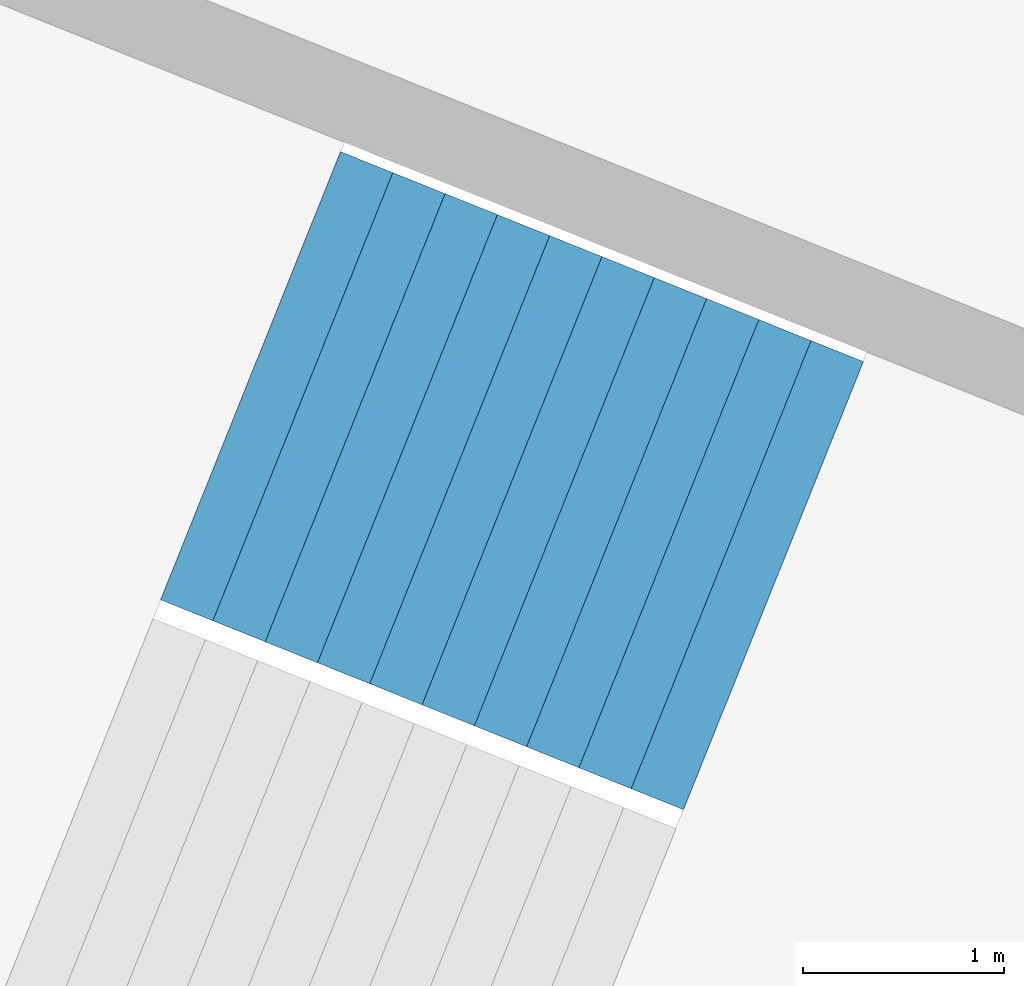
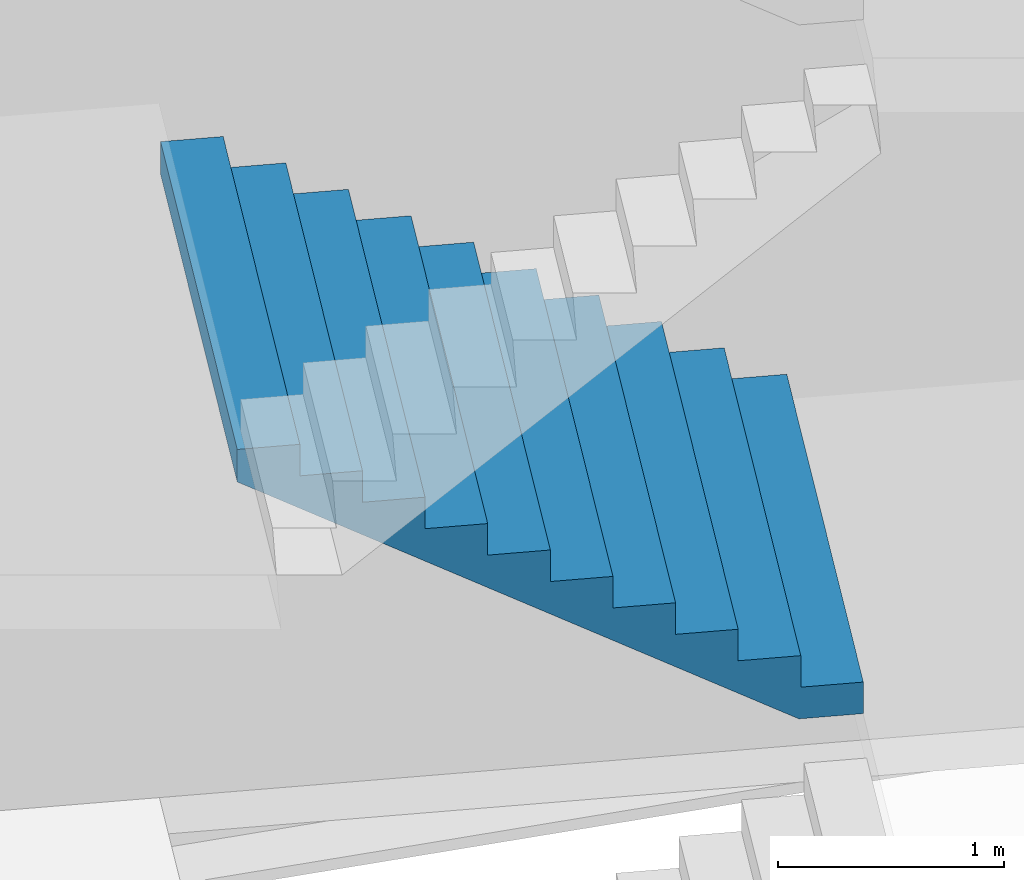
# One storey, part 51 of 73: 1 stair flight, 1 element without a shape of its own.
"""IFC4 building model written with IfcOpenShell, lengths in metres."""

from ifc_helpers import new_model, si_unit, direction, frame, origin, place, context, subcontext, project, spatial, triangles, material, type_object, element, aggregate, save


model = new_model("IFC4")

# Units and contexts
model_context = context("Model", 3, precision=1e-05, world=origin(), true_north=direction((0.0, 1.0)))
body_context = subcontext(model_context, "Body", "Model", "MODEL_VIEW")
ifc_project = project(units=[si_unit("LENGTHUNIT", "METRE"), si_unit("AREAUNIT", "SQUARE_METRE"), si_unit("VOLUMEUNIT", "CUBIC_METRE"), si_unit("PLANEANGLEUNIT", "RADIAN"), si_unit("MASSUNIT", "GRAM", prefix="KILO")], contexts=[model_context])

# Site, building, storey
site_placement = place(None, origin())
site = spatial("IfcSite", under=ifc_project, at=site_placement, CompositionType="ELEMENT")
building_placement = place(site_placement, origin())
building = spatial("IfcBuilding", under=site, at=building_placement, Name="Lantaw Convention Tower", CompositionType="ELEMENT")
storey_placement = place(building_placement, frame((0.0, 0.0, 14.5)))
storey = spatial("IfcBuildingStorey", under=building, at=storey_placement, Name="L02", CompositionType="ELEMENT", Elevation=14.5)

# Stair, stair flight
ifc_material = material(Name="Concrete C35/45", Category="concrete")
stair_type = type_object("IfcStairType", Name="Exit stair 2400 riser 170.45 in 4 flights", PredefinedType="HALF_TURN_STAIR", material=ifc_material)
stair_placement = place(storey_placement, origin())
stair = element("IfcStair", 1, at=stair_placement, inside=storey, type_object=stair_type, Name="Podium exit stair P12 L02", PredefinedType="HALF_TURN_STAIR")
stair_flight_type = type_object("IfcStairFlightType", Name="Stair flight 2400 riser 170.45", PredefinedType="STRAIGHT", material=ifc_material)
stair_flight_placement = place(storey_placement, frame((32.6162109375, -11.746337890625, 1.875), z_axis=(0.0, 0.0, 1.0), x_axis=(-0.928015818512, 0.372540790506, 0.0)))
stair_flight = element("IfcStairFlight", 2, at=stair_flight_placement, type_object=stair_flight_type, Name="P12 flight 2", NumberOfRisers=11, NumberOfTreads=10, PredefinedType="STRAIGHT", RiserHeight=0.170454545, TreadLength=0.28, context=body_context, shape_type="Tessellation", body=[
    triangles([(0.0, 1.199951171875, 0.0), (0.0, 1.199951171875, 0.170454545), (0.28, 1.199951171875, 0.0), (0.28, 1.199951171875, 0.170454545), (0.28, 1.199951171875, 0.34090909), (0.28827876332691904, 1.199951171875, 0.0), (0.28827876332691904, 1.199951171875, 0.34090909), (0.56, 1.199951171875, 0.16541471344266906), (0.56, 1.199951171875, 0.34090909), (0.56, 1.199951171875, 0.511363635), (0.8400000000000001, 1.199951171875, 0.335869258442669), (0.8400000000000001, 1.199951171875, 0.511363635), (0.8400000000000001, 1.199951171875, 0.68181818), (1.12, 1.199951171875, 0.506323803442669), (1.12, 1.199951171875, 0.68181818), (1.12, 1.199951171875, 0.8522727250000001), (1.4000000000000001, 1.199951171875, 0.676778348442669), (1.4000000000000001, 1.199951171875, 0.8522727250000001), (1.4000000000000001, 1.199951171875, 1.02272727), (1.6800000000000002, 1.199951171875, 0.847232893442669), (1.6800000000000002, 1.199951171875, 1.02272727), (1.6800000000000002, 1.199951171875, 1.193181815), (1.9600000000000002, 1.199951171875, 1.017687438442669), (1.9600000000000002, 1.199951171875, 1.193181815), (1.9600000000000002, 1.199951171875, 1.36363636), (2.24, 1.199951171875, 1.188141983442669), (2.24, 1.199951171875, 1.36363636), (2.24, 1.199951171875, 1.5340909050000002), (2.5200000000000005, 1.199951171875, 1.358596528442669), (2.5200000000000005, 1.199951171875, 1.5340909050000002), (2.5200000000000005, 1.199951171875, 1.7045454500000001), (2.8000000000000003, 1.199951171875, 1.529051073442669), (2.8000000000000003, 1.199951171875, 1.7045454500000001), (0.0, -1.199951171875, 0.0), (0.0, -1.199951171875, 0.170454545), (0.28, -1.199951171875, 0.0), (0.28, -1.199951171875, 0.170454545), (0.28, -1.199951171875, 0.34090909), (0.28827876332691904, -1.199951171875, 0.0), (0.28827876332691904, -1.199951171875, 0.34090909), (0.56, -1.199951171875, 0.16541471344266906), (0.56, -1.199951171875, 0.34090909), (0.56, -1.199951171875, 0.511363635), (0.8400000000000001, -1.199951171875, 0.335869258442669), (0.8400000000000001, -1.199951171875, 0.511363635), (0.8400000000000001, -1.199951171875, 0.68181818), (1.12, -1.199951171875, 0.506323803442669), (1.12, -1.199951171875, 0.68181818), (1.12, -1.199951171875, 0.8522727250000001), (1.4000000000000001, -1.199951171875, 0.676778348442669), (1.4000000000000001, -1.199951171875, 0.8522727250000001), (1.4000000000000001, -1.199951171875, 1.02272727), (1.6800000000000002, -1.199951171875, 0.847232893442669), (1.6800000000000002, -1.199951171875, 1.02272727), (1.6800000000000002, -1.199951171875, 1.193181815), (1.9600000000000002, -1.199951171875, 1.017687438442669), (1.9600000000000002, -1.199951171875, 1.193181815), (1.9600000000000002, -1.199951171875, 1.36363636), (2.24, -1.199951171875, 1.188141983442669), (2.24, -1.199951171875, 1.36363636), (2.24, -1.199951171875, 1.5340909050000002), (2.5200000000000005, -1.199951171875, 1.358596528442669), (2.5200000000000005, -1.199951171875, 1.5340909050000002), (2.5200000000000005, -1.199951171875, 1.7045454500000001), (2.8000000000000003, -1.199951171875, 1.529051073442669), (2.8000000000000003, -1.199951171875, 1.7045454500000001), (0.0, 0.239990234375, 0.170454545), (0.0, 0.239990234375, 0.0), (0.0, 0.1199951171875, 0.170454545), (0.0, 0.1199951171875, 0.0), (0.0, 0.0, 0.170454545), (0.0, 0.0, 0.0), (0.0, -0.1199951171875, 0.170454545), (0.0, -0.1199951171875, 0.0), (0.0, -0.239990234375, 0.170454545), (0.0, -0.239990234375, 0.0), (0.28, 0.239990234375, 0.34090909), (0.28, 0.239990234375, 0.170454545), (0.28, 0.1199951171875, 0.34090909), (0.28, 0.1199951171875, 0.170454545), (0.28, 0.0, 0.34090909), (0.28, 0.0, 0.170454545), (0.28, -0.1199951171875, 0.34090909), (0.28, -0.1199951171875, 0.170454545), (0.28, -0.239990234375, 0.34090909), (0.28, -0.239990234375, 0.170454545), (0.56, 0.239990234375, 0.511363635), (0.56, 0.239990234375, 0.34090909), (0.56, 0.1199951171875, 0.511363635), (0.56, 0.1199951171875, 0.34090909), (0.56, 0.0, 0.511363635), (0.56, 0.0, 0.34090909), (0.56, -0.1199951171875, 0.511363635), (0.56, -0.1199951171875, 0.34090909), (0.56, -0.239990234375, 0.511363635), (0.56, -0.239990234375, 0.34090909), (0.8400000000000001, 0.239990234375, 0.68181818), (0.8400000000000001, 0.239990234375, 0.511363635), (0.8400000000000001, 0.1199951171875, 0.68181818), (0.8400000000000001, 0.1199951171875, 0.511363635), (0.8400000000000001, 0.0, 0.68181818), (0.8400000000000001, 0.0, 0.511363635), (0.8400000000000001, -0.1199951171875, 0.68181818), (0.8400000000000001, -0.1199951171875, 0.511363635), (0.8400000000000001, -0.239990234375, 0.68181818), (0.8400000000000001, -0.239990234375, 0.511363635), (1.12, 0.239990234375, 0.8522727250000001), (1.12, 0.239990234375, 0.68181818), (1.12, 0.1199951171875, 0.8522727250000001), (1.12, 0.1199951171875, 0.68181818), (1.12, 0.0, 0.8522727250000001), (1.12, 0.0, 0.68181818), (1.12, -0.1199951171875, 0.8522727250000001), (1.12, -0.1199951171875, 0.68181818), (1.12, -0.239990234375, 0.8522727250000001), (1.12, -0.239990234375, 0.68181818), (1.4000000000000001, 0.239990234375, 1.02272727), (1.4000000000000001, 0.239990234375, 0.8522727250000001), (1.4000000000000001, 0.1199951171875, 1.02272727), (1.4000000000000001, 0.1199951171875, 0.8522727250000001), (1.4000000000000001, 0.0, 1.02272727), (1.4000000000000001, 0.0, 0.8522727250000001), (1.4000000000000001, -0.1199951171875, 1.02272727), (1.4000000000000001, -0.1199951171875, 0.8522727250000001), (1.4000000000000001, -0.239990234375, 1.02272727), (1.4000000000000001, -0.239990234375, 0.8522727250000001), (1.6800000000000002, 0.239990234375, 1.193181815), (1.6800000000000002, 0.239990234375, 1.02272727), (1.6800000000000002, 0.1199951171875, 1.193181815), (1.6800000000000002, 0.1199951171875, 1.02272727), (1.6800000000000002, 0.0, 1.193181815), (1.6800000000000002, 0.0, 1.02272727), (1.6800000000000002, -0.1199951171875, 1.193181815), (1.6800000000000002, -0.1199951171875, 1.02272727), (1.6800000000000002, -0.239990234375, 1.193181815), (1.6800000000000002, -0.239990234375, 1.02272727), (1.9600000000000002, 0.239990234375, 1.36363636), (1.9600000000000002, 0.239990234375, 1.193181815), (1.9600000000000002, 0.1199951171875, 1.36363636), (1.9600000000000002, 0.1199951171875, 1.193181815), (1.9600000000000002, 0.0, 1.36363636), (1.9600000000000002, 0.0, 1.193181815), (1.9600000000000002, -0.1199951171875, 1.36363636), (1.9600000000000002, -0.1199951171875, 1.193181815), (1.9600000000000002, -0.239990234375, 1.36363636), (1.9600000000000002, -0.239990234375, 1.193181815), (2.24, 0.239990234375, 1.5340909050000002), (2.24, 0.239990234375, 1.36363636), (2.24, 0.1199951171875, 1.5340909050000002), (2.24, 0.1199951171875, 1.36363636), (2.24, 0.0, 1.5340909050000002), (2.24, 0.0, 1.36363636), (2.24, -0.1199951171875, 1.5340909050000002), (2.24, -0.1199951171875, 1.36363636), (2.24, -0.239990234375, 1.5340909050000002), (2.24, -0.239990234375, 1.36363636), (2.5200000000000005, 0.239990234375, 1.7045454500000001), (2.5200000000000005, 0.239990234375, 1.5340909050000002), (2.5200000000000005, 0.1199951171875, 1.7045454500000001), (2.5200000000000005, 0.1199951171875, 1.5340909050000002), (2.5200000000000005, 0.0, 1.7045454500000001), (2.5200000000000005, 0.0, 1.5340909050000002), (2.5200000000000005, -0.1199951171875, 1.7045454500000001), (2.5200000000000005, -0.1199951171875, 1.5340909050000002), (2.5200000000000005, -0.239990234375, 1.7045454500000001), (2.5200000000000005, -0.239990234375, 1.5340909050000002), (0.28827876332691904, 0.239990234375, 0.34090909), (0.28827876332691904, 0.1199951171875, 0.34090909), (0.28827876332691904, 0.0, 0.34090909), (0.28827876332691904, -0.1199951171875, 0.34090909), (0.28827876332691904, -0.239990234375, 0.34090909), (2.8000000000000003, 0.239990234375, 1.7045454500000001), (2.8000000000000003, 0.1199951171875, 1.7045454500000001), (2.8000000000000003, 0.0, 1.7045454500000001), (2.8000000000000003, -0.1199951171875, 1.7045454500000001), (2.8000000000000003, -0.239990234375, 1.7045454500000001), (2.8000000000000003, 0.239990234375, 1.5290510734426692), (2.8000000000000003, 0.1199951171875, 1.5290510734426692), (2.8000000000000003, 0.0, 1.5290510734426692), (2.8000000000000003, -0.1199951171875, 1.5290510734426692), (2.8000000000000003, -0.239990234375, 1.5290510734426692), (2.5200000000000005, 0.239990234375, 1.358596528442669), (2.5200000000000005, 0.1199951171875, 1.358596528442669), (2.5200000000000005, 0.0, 1.358596528442669), (2.5200000000000005, -0.1199951171875, 1.358596528442669), (2.5200000000000005, -0.239990234375, 1.358596528442669), (2.24, 0.239990234375, 1.188141983442669), (2.24, 0.1199951171875, 1.188141983442669), (2.24, 0.0, 1.188141983442669), (2.24, -0.1199951171875, 1.188141983442669), (2.24, -0.239990234375, 1.188141983442669), (1.9600000000000002, 0.239990234375, 1.017687438442669), (1.9600000000000002, 0.1199951171875, 1.017687438442669), (1.9600000000000002, 0.0, 1.017687438442669), (1.9600000000000002, -0.1199951171875, 1.017687438442669), (1.9600000000000002, -0.239990234375, 1.017687438442669), (1.6800000000000002, 0.239990234375, 0.847232893442669), (1.6800000000000002, 0.1199951171875, 0.847232893442669), (1.6800000000000002, 0.0, 0.847232893442669), (1.6800000000000002, -0.1199951171875, 0.847232893442669), (1.6800000000000002, -0.239990234375, 0.847232893442669), (1.4000000000000001, 0.239990234375, 0.676778348442669), (1.4000000000000001, 0.1199951171875, 0.676778348442669), (1.4000000000000001, 0.0, 0.676778348442669), (1.4000000000000001, -0.1199951171875, 0.676778348442669), (1.4000000000000001, -0.239990234375, 0.676778348442669), (1.12, 0.239990234375, 0.506323803442669), (1.12, 0.1199951171875, 0.506323803442669), (1.12, 0.0, 0.506323803442669), (1.12, -0.1199951171875, 0.506323803442669), (1.12, -0.239990234375, 0.506323803442669), (0.8400000000000001, 0.239990234375, 0.335869258442669), (0.8400000000000001, 0.1199951171875, 0.335869258442669), (0.8400000000000001, 0.0, 0.335869258442669), (0.8400000000000001, -0.1199951171875, 0.335869258442669), (0.8400000000000001, -0.239990234375, 0.335869258442669), (0.56, 0.239990234375, 0.16541471344266906), (0.56, 0.1199951171875, 0.16541471344266906), (0.56, 0.0, 0.16541471344266906), (0.56, -0.1199951171875, 0.16541471344266906), (0.56, -0.239990234375, 0.16541471344266906), (0.28827876332691904, 0.239990234375, 0.0), (0.28827876332691904, 0.1199951171875, 0.0), (0.28827876332691904, 0.0, 0.0), (0.28827876332691904, -0.1199951171875, 0.0), (0.28827876332691904, -0.239990234375, 0.0), (0.28, 0.239990234375, 0.0), (0.28, 0.1199951171875, 0.0), (0.28, 0.0, 0.0), (0.28, -0.1199951171875, 0.0), (0.28, -0.239990234375, 0.0)], [[1, 4, 3], [1, 2, 4], [3, 4, 6], [4, 7, 6], [4, 5, 7], [6, 9, 8], [6, 7, 9], [8, 9, 11], [9, 12, 11], [9, 10, 12], [11, 12, 14], [12, 15, 14], [12, 13, 15], [14, 15, 17], [15, 18, 17], [15, 16, 18], [17, 18, 20], [18, 21, 20], [18, 19, 21], [20, 21, 23], [21, 24, 23], [21, 22, 24], [23, 24, 26], [24, 27, 26], [24, 25, 27], [26, 27, 29], [27, 30, 29], [27, 28, 30], [29, 30, 32], [30, 33, 32], [30, 31, 33], [34, 36, 37], [34, 37, 35], [36, 39, 37], [37, 39, 40], [37, 40, 38], [39, 41, 42], [39, 42, 40], [41, 44, 42], [42, 44, 45], [42, 45, 43], [44, 47, 45], [45, 47, 48], [45, 48, 46], [47, 50, 48], [48, 50, 51], [48, 51, 49], [50, 53, 51], [51, 53, 54], [51, 54, 52], [53, 56, 54], [54, 56, 57], [54, 57, 55], [56, 59, 57], [57, 59, 60], [57, 60, 58], [59, 62, 60], [60, 62, 63], [60, 63, 61], [62, 65, 63], [63, 65, 66], [63, 66, 64], [1, 67, 2], [1, 68, 67], [68, 69, 67], [68, 70, 69], [70, 71, 69], [70, 72, 71], [72, 73, 71], [72, 74, 73], [74, 75, 73], [74, 76, 75], [76, 35, 75], [76, 34, 35], [4, 77, 5], [4, 78, 77], [78, 79, 77], [78, 80, 79], [80, 81, 79], [80, 82, 81], [82, 83, 81], [82, 84, 83], [84, 85, 83], [84, 86, 85], [86, 38, 85], [86, 37, 38], [9, 87, 10], [9, 88, 87], [88, 89, 87], [88, 90, 89], [90, 91, 89], [90, 92, 91], [92, 93, 91], [92, 94, 93], [94, 95, 93], [94, 96, 95], [96, 43, 95], [96, 42, 43], [12, 97, 13], [12, 98, 97], [98, 99, 97], [98, 100, 99], [100, 101, 99], [100, 102, 101], [102, 103, 101], [102, 104, 103], [104, 105, 103], [104, 106, 105], [106, 46, 105], [106, 45, 46], [15, 107, 16], [15, 108, 107], [108, 109, 107], [108, 110, 109], [110, 111, 109], [110, 112, 111], [112, 113, 111], [112, 114, 113], [114, 115, 113], [114, 116, 115], [116, 49, 115], [116, 48, 49], [18, 117, 19], [18, 118, 117], [118, 119, 117], [118, 120, 119], [120, 121, 119], [120, 122, 121], [122, 123, 121], [122, 124, 123], [124, 125, 123], [124, 126, 125], [126, 52, 125], [126, 51, 52], [21, 127, 22], [21, 128, 127], [128, 129, 127], [128, 130, 129], [130, 131, 129], [130, 132, 131], [132, 133, 131], [132, 134, 133], [134, 135, 133], [134, 136, 135], [136, 55, 135], [136, 54, 55], [24, 137, 25], [24, 138, 137], [138, 139, 137], [138, 140, 139], [140, 141, 139], [140, 142, 141], [142, 143, 141], [142, 144, 143], [144, 145, 143], [144, 146, 145], [146, 58, 145], [146, 57, 58], [27, 147, 28], [27, 148, 147], [148, 149, 147], [148, 150, 149], [150, 151, 149], [150, 152, 151], [152, 153, 151], [152, 154, 153], [154, 155, 153], [154, 156, 155], [156, 61, 155], [156, 60, 61], [30, 157, 31], [30, 158, 157], [158, 159, 157], [158, 160, 159], [160, 161, 159], [160, 162, 161], [162, 163, 161], [162, 164, 163], [164, 165, 163], [164, 166, 165], [166, 64, 165], [166, 63, 64], [2, 78, 4], [2, 67, 78], [67, 80, 78], [67, 69, 80], [69, 82, 80], [69, 71, 82], [71, 84, 82], [71, 73, 84], [73, 86, 84], [73, 75, 86], [75, 37, 86], [75, 35, 37], [5, 167, 7], [5, 77, 167], [77, 168, 167], [77, 79, 168], [79, 169, 168], [79, 81, 169], [81, 170, 169], [81, 83, 170], [83, 171, 170], [83, 85, 171], [85, 40, 171], [85, 38, 40], [7, 88, 9], [7, 167, 88], [167, 90, 88], [167, 168, 90], [168, 92, 90], [168, 169, 92], [169, 94, 92], [169, 170, 94], [170, 96, 94], [170, 171, 96], [171, 42, 96], [171, 40, 42], [10, 98, 12], [10, 87, 98], [87, 100, 98], [87, 89, 100], [89, 102, 100], [89, 91, 102], [91, 104, 102], [91, 93, 104], [93, 106, 104], [93, 95, 106], [95, 45, 106], [95, 43, 45], [13, 108, 15], [13, 97, 108], [97, 110, 108], [97, 99, 110], [99, 112, 110], [99, 101, 112], [101, 114, 112], [101, 103, 114], [103, 116, 114], [103, 105, 116], [105, 48, 116], [105, 46, 48], [16, 118, 18], [16, 107, 118], [107, 120, 118], [107, 109, 120], [109, 122, 120], [109, 111, 122], [111, 124, 122], [111, 113, 124], [113, 126, 124], [113, 115, 126], [115, 51, 126], [115, 49, 51], [19, 128, 21], [19, 117, 128], [117, 130, 128], [117, 119, 130], [119, 132, 130], [119, 121, 132], [121, 134, 132], [121, 123, 134], [123, 136, 134], [123, 125, 136], [125, 54, 136], [125, 52, 54], [22, 138, 24], [22, 127, 138], [127, 140, 138], [127, 129, 140], [129, 142, 140], [129, 131, 142], [131, 144, 142], [131, 133, 144], [133, 146, 144], [133, 135, 146], [135, 57, 146], [135, 55, 57], [25, 148, 27], [25, 137, 148], [137, 150, 148], [137, 139, 150], [139, 152, 150], [139, 141, 152], [141, 154, 152], [141, 143, 154], [143, 156, 154], [143, 145, 156], [145, 60, 156], [145, 58, 60], [28, 158, 30], [28, 147, 158], [147, 160, 158], [147, 149, 160], [149, 162, 160], [149, 151, 162], [151, 164, 162], [151, 153, 164], [153, 166, 164], [153, 155, 166], [155, 63, 166], [155, 61, 63], [31, 172, 33], [31, 157, 172], [157, 173, 172], [157, 159, 173], [159, 174, 173], [159, 161, 174], [161, 175, 174], [161, 163, 175], [163, 176, 175], [163, 165, 176], [165, 66, 176], [165, 64, 66], [33, 177, 32], [33, 172, 177], [172, 178, 177], [172, 173, 178], [173, 179, 178], [173, 174, 179], [174, 180, 179], [174, 175, 180], [175, 181, 180], [175, 176, 181], [176, 65, 181], [176, 66, 65], [32, 182, 29], [32, 177, 182], [177, 183, 182], [177, 178, 183], [178, 184, 183], [178, 179, 184], [179, 185, 184], [179, 180, 185], [180, 186, 185], [180, 181, 186], [181, 62, 186], [181, 65, 62], [29, 187, 26], [29, 182, 187], [182, 188, 187], [182, 183, 188], [183, 189, 188], [183, 184, 189], [184, 190, 189], [184, 185, 190], [185, 191, 190], [185, 186, 191], [186, 59, 191], [186, 62, 59], [26, 192, 23], [26, 187, 192], [187, 193, 192], [187, 188, 193], [188, 194, 193], [188, 189, 194], [189, 195, 194], [189, 190, 195], [190, 196, 195], [190, 191, 196], [191, 56, 196], [191, 59, 56], [23, 197, 20], [23, 192, 197], [192, 198, 197], [192, 193, 198], [193, 199, 198], [193, 194, 199], [194, 200, 199], [194, 195, 200], [195, 201, 200], [195, 196, 201], [196, 53, 201], [196, 56, 53], [20, 202, 17], [20, 197, 202], [197, 203, 202], [197, 198, 203], [198, 204, 203], [198, 199, 204], [199, 205, 204], [199, 200, 205], [200, 206, 205], [200, 201, 206], [201, 50, 206], [201, 53, 50], [17, 207, 14], [17, 202, 207], [202, 208, 207], [202, 203, 208], [203, 209, 208], [203, 204, 209], [204, 210, 209], [204, 205, 210], [205, 211, 210], [205, 206, 211], [206, 47, 211], [206, 50, 47], [14, 212, 11], [14, 207, 212], [207, 213, 212], [207, 208, 213], [208, 214, 213], [208, 209, 214], [209, 215, 214], [209, 210, 215], [210, 216, 215], [210, 211, 216], [211, 44, 216], [211, 47, 44], [11, 217, 8], [11, 212, 217], [212, 218, 217], [212, 213, 218], [213, 219, 218], [213, 214, 219], [214, 220, 219], [214, 215, 220], [215, 221, 220], [215, 216, 221], [216, 41, 221], [216, 44, 41], [8, 222, 6], [8, 217, 222], [217, 223, 222], [217, 218, 223], [218, 224, 223], [218, 219, 224], [219, 225, 224], [219, 220, 225], [220, 226, 225], [220, 221, 226], [221, 39, 226], [221, 41, 39], [6, 227, 3], [6, 222, 227], [222, 228, 227], [222, 223, 228], [223, 229, 228], [223, 224, 229], [224, 230, 229], [224, 225, 230], [225, 231, 230], [225, 226, 231], [226, 36, 231], [226, 39, 36], [3, 68, 1], [3, 227, 68], [227, 70, 68], [227, 228, 70], [228, 72, 70], [228, 229, 72], [229, 74, 72], [229, 230, 74], [230, 76, 74], [230, 231, 76], [231, 34, 76], [231, 36, 34]], closed=True),
])
aggregate(stair, [stair_flight])

save(model, "model.ifc")
